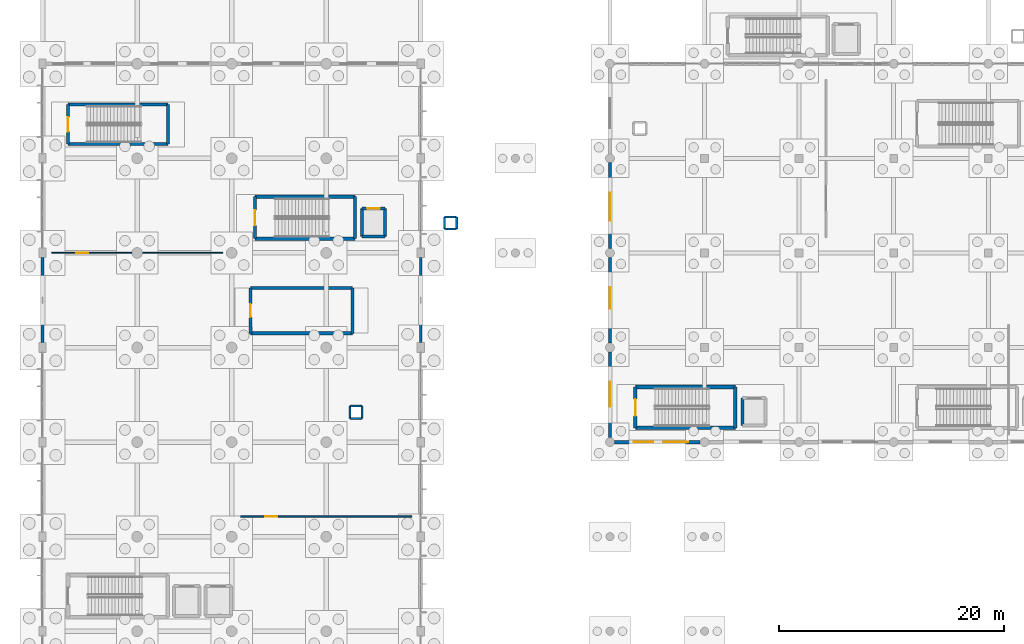
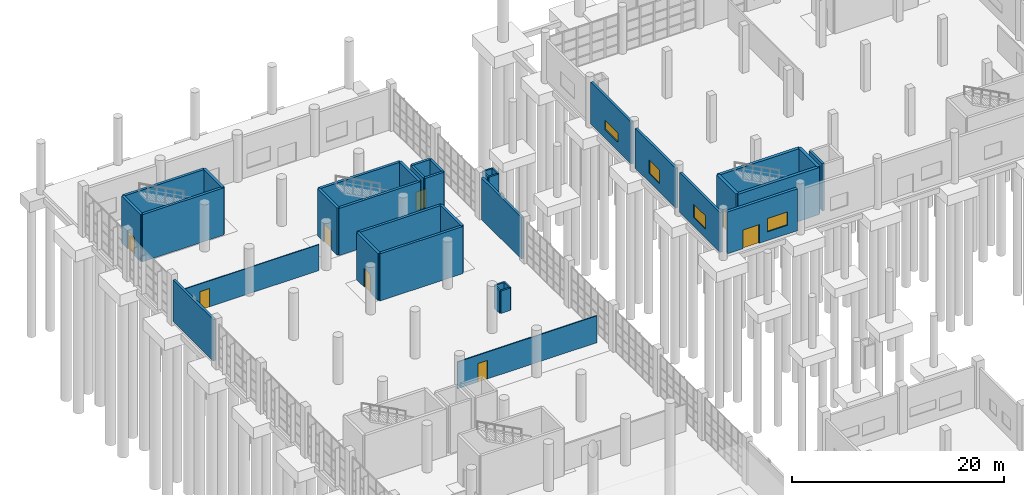
# One storey, part 55 of 83: 37 walls, 8 doors, 4 windows, 12 openings.
"""IFC4 building model written with IfcOpenShell, lengths in metres."""

from ifc_helpers import new_model, si_unit, direction, frame, frame_2d, origin, place, context, subcontext, project, spatial, rectangle, extrude, material, layer, layer_set, type_object, element, fill, save


model = new_model("IFC4")

# Units and contexts
model_context = context("Model", 3, precision=1e-05, world=origin(), true_north=direction((0.0, 1.0)))
body_context = subcontext(model_context, "Body", "Model", "MODEL_VIEW")
ifc_project = project(units=[si_unit("LENGTHUNIT", "METRE"), si_unit("AREAUNIT", "SQUARE_METRE"), si_unit("VOLUMEUNIT", "CUBIC_METRE"), si_unit("PLANEANGLEUNIT", "RADIAN"), si_unit("MASSUNIT", "GRAM", prefix="KILO"), si_unit("THERMODYNAMICTEMPERATUREUNIT", "KELVIN"), si_unit("POWERUNIT", "WATT")], contexts=[model_context])

# Site, building, storey
site_placement = place(None, origin())
site = spatial("IfcSite", under=ifc_project, at=site_placement, CompositionType="ELEMENT")
building_placement = place(site_placement, origin())
building = spatial("IfcBuilding", under=site, at=building_placement, Name="Mavoryth Pier Ferry Terminal", CompositionType="ELEMENT")
storey_placement = place(building_placement, origin())
storey = spatial("IfcBuildingStorey", under=building, at=storey_placement, Name="L00", CompositionType="ELEMENT", Elevation=0.0)

# Walls
ifc_material_1 = material(Name="Concrete C35/45", Category="concrete")
ifc_layer_1 = layer(ifc_material_1, 0.260009765625, Name="Concrete C35/45", Category="concrete")
ifc_layer_set_1 = layer_set([ifc_layer_1], Name="Concrete C35/45 - CoreWall-LiftShaft-RC260")
wall_type_1 = type_object("IfcWallType", Name="CoreWall-LiftShaft-RC260", PredefinedType="SHEAR", material=ifc_layer_set_1)
wall_1_placement = place(storey_placement, frame((28.3701171875, 90.669921875, 0.0), z_axis=(0.0, 0.0, 1.0), x_axis=(1.0, 0.0, 0.0)))
element("IfcWall", 1, at=wall_1_placement, inside=storey, type_object=wall_type_1, Name="Interior Wall IW-L00-0037", PredefinedType="SHEAR", context=body_context, shape_type="SweptSolid", body=[
    extrude(rectangle(XDim=2.059814453125, YDim=0.260009765625, at=frame_2d((1.02978515625, 0.0))), origin(), (0.0, 0.0, 1.0), 5.43994140625),
])
for number, where, z_axis, x_axis, name in (
    (2, (30.429931640625, 90.669921875, 0.0), (0.0, 0.0, 1.0), (0.0, 1.0, 0.0), "Interior Wall IW-L00-0038"),
    (3, (28.3701171875, 93.1298828125, 0.0), (0.0, 0.0, 1.0), (0.0, -1.0, 0.0), "Interior Wall IW-L00-0039"),
):
    element("IfcWall", number, at=place(storey_placement, frame(where, z_axis=z_axis, x_axis=x_axis)), inside=storey, type_object=wall_type_1, Name=name, PredefinedType="SHEAR", context=body_context, shape_type="SweptSolid", body=[
        extrude(rectangle(XDim=2.4599609375, YDim=0.260009765625, at=frame_2d((1.22998046875, 0.0))), origin(), (0.0, 0.0, 1.0), 5.43994140625),
    ])

# Wall, opening, door
wall_2_placement = place(storey_placement, frame((28.3701171875, 93.1298828125, 0.0), z_axis=(0.0, 0.0, 1.0), x_axis=(1.0, 0.0, 0.0)))
wall_2 = element("IfcWall", 4, at=wall_2_placement, inside=storey, type_object=wall_type_1, Name="Interior Wall IW-L00-0040", PredefinedType="SHEAR", context=body_context, shape_type="SweptSolid", body=[
    extrude(rectangle(XDim=2.059814453125, YDim=0.260009765625, at=frame_2d((1.02978515625, 0.0))), origin(), (0.0, 0.0, 1.0), 5.43994140625),
])
opening_1_placement = place(wall_2_placement, frame((0.4599609375, 0.0, 0.0)))
opening_1 = element("IfcOpeningElement", 5, at=opening_1_placement, cuts=wall_2, Name="Opening LD02", PredefinedType="OPENING", context=body_context, shape_type="SweptSolid", body=[
    extrude(rectangle(XDim=1.139892578125, YDim=2.139892578125, at=frame_2d((0.56982421875, 1.06982421875))), frame((0.0, 0.139892578125, 0.0), z_axis=(0.0, -1.0, 0.0), x_axis=(1.0, 0.0, 0.0)), (0.0, 0.0, 1.0), 0.280029296875),
])
ifc_material_2 = material(Name="Brushed Stainless Steel Lift Landing Door", Category="steel")
door_type_1 = type_object("IfcDoorType", Name="Door-LiftLanding-1140x2140", OperationType="NOTDEFINED", PredefinedType="DOOR", material=ifc_material_2)
door_1_placement = place(opening_1_placement, origin())
door_1 = element("IfcDoor", 6, at=door_1_placement, inside=storey, type_object=door_type_1, Name="Lift LF03 Landing Door L00", OperationType="DOUBLE_DOOR_SLIDING", OverallHeight=2.139892578125, OverallWidth=1.139892578125, PredefinedType="DOOR", context=body_context, shape_type="SweptSolid", body=[
    extrude(rectangle(XDim=1.139892578125, YDim=2.139892578125, at=frame_2d((0.56982421875, 1.06982421875))), frame((0.0, 0.02490234375, 0.0), z_axis=(0.0, -1.0, 0.0), x_axis=(1.0, 0.0, 0.0)), (0.0, 0.0, 1.0), 0.050048828125),
])
fill(opening_1, door_1)

# Walls
wall_3_placement = place(storey_placement, frame((62.169921875, 76.330078125, 0.0), z_axis=(0.0, 0.0, 1.0), x_axis=(0.0, -1.0, 0.0)))
element("IfcWall", 7, at=wall_3_placement, inside=storey, type_object=wall_type_1, Name="Interior Wall IW-L00-0071", PredefinedType="SHEAR", context=body_context, shape_type="SweptSolid", body=[
    extrude(rectangle(XDim=2.4599609375, YDim=0.260009765625, at=frame_2d((1.22998046875, 0.0))), origin(), (0.0, 0.0, 1.0), 5.43994140625),
])
ifc_material_3 = material(Name="Concrete C40/50", Category="concrete")
ifc_layer_2 = layer(ifc_material_3, 0.280029296875, Name="Concrete C40/50", Category="concrete")
ifc_layer_set_2 = layer_set([ifc_layer_2], Name="Concrete C40/50 - CoreWall-Shear-RC280")
wall_type_2 = type_object("IfcWallType", Name="CoreWall-Shear-RC280", PredefinedType="SHEAR", material=ifc_layer_set_2)
for number, where, z_axis, x_axis, name in (
    (8, (18.860107421875, 90.4599609375, 0.0), (0.0, 0.0, 1.0), (1.0, 0.0, 0.0), "Interior Wall IW-L00-0025"),
    (9, (18.860107421875, 94.18994140625, 0.0), (0.0, 0.0, 1.0), (1.0, 0.0, 0.0), "Interior Wall IW-L00-0026"),
):
    element("IfcWall", number, at=place(storey_placement, frame(where, z_axis=z_axis, x_axis=x_axis)), inside=storey, type_object=wall_type_2, Name=name, PredefinedType="SHEAR", context=body_context, shape_type="SweptSolid", body=[
        extrude(rectangle(XDim=8.8798828125, YDim=0.280029296875, at=frame_2d((4.43994140625, 0.0))), origin(), (0.0, 0.0, 1.0), 5.43994140625),
    ])

# Wall, opening, door
wall_4_placement = place(storey_placement, frame((18.860107421875, 94.18994140625, 0.0), z_axis=(0.0, 0.0, 1.0), x_axis=(0.0, -1.0, 0.0)))
wall_4 = element("IfcWall", 10, at=wall_4_placement, inside=storey, type_object=wall_type_2, Name="Interior Wall IW-L00-0027", PredefinedType="SHEAR", context=body_context, shape_type="SweptSolid", body=[
    extrude(rectangle(XDim=3.72998046875, YDim=0.280029296875, at=frame_2d((1.864990234375, 0.0))), origin(), (0.0, 0.0, 1.0), 5.43994140625),
])
opening_2_placement = place(wall_4_placement, frame((1.18505859375, 0.0, 0.0)))
opening_2 = element("IfcOpeningElement", 11, at=opening_2_placement, cuts=wall_4, Name="Opening ID02-007", PredefinedType="OPENING", context=body_context, shape_type="SweptSolid", body=[
    extrude(rectangle(XDim=1.360107421875, YDim=2.14990234375, at=frame_2d((0.68017578125, 1.074951171875))), frame((0.0, 0.14990234375, 0.0), z_axis=(0.0, -1.0, 0.0), x_axis=(1.0, 0.0, 0.0)), (0.0, 0.0, 1.0), 0.300048828125),
])
ifc_material_4 = material(Name="Painted Galvanised Steel Fire Door", Category="steel")
door_type_2 = type_object("IfcDoorType", Name="Door-StairFire-1360x2150", OperationType="NOTDEFINED", PredefinedType="DOOR", material=ifc_material_4)
door_2_placement = place(opening_2_placement, origin())
door_2 = element("IfcDoor", 12, at=door_2_placement, inside=storey, type_object=door_type_2, Name="Core C1B Stair Exit Door L00", OperationType="SINGLE_SWING_LEFT", OverallHeight=2.14990234375, OverallWidth=1.360107421875, PredefinedType="DOOR", context=body_context, shape_type="SweptSolid", body=[
    extrude(rectangle(XDim=1.360107421875, YDim=2.14990234375, at=frame_2d((0.68017578125, 1.074951171875))), frame((0.0, 0.02490234375, 0.0), z_axis=(0.0, -1.0, 0.0), x_axis=(1.0, 0.0, 0.0)), (0.0, 0.0, 1.0), 0.050048828125),
])
fill(opening_2, door_2)

# Walls
wall_5_placement = place(storey_placement, frame((27.739990234375, 90.4599609375, 0.0), z_axis=(0.0, 0.0, 1.0), x_axis=(0.0, 1.0, 0.0)))
element("IfcWall", 13, at=wall_5_placement, inside=storey, type_object=wall_type_2, Name="Interior Wall IW-L00-0028", PredefinedType="SHEAR", context=body_context, shape_type="SweptSolid", body=[
    extrude(rectangle(XDim=3.72998046875, YDim=0.280029296875, at=frame_2d((1.864990234375, 0.0))), origin(), (0.0, 0.0, 1.0), 5.43994140625),
])
for number, where, z_axis, x_axis, name in (
    (14, (2.260009765625, 98.860107421875, 0.0), (0.0, 0.0, 1.0), (1.0, 0.0, 0.0), "Interior Wall IW-L00-0049"),
    (15, (2.260009765625, 102.389892578125, 0.0), (0.0, 0.0, 1.0), (1.0, 0.0, 0.0), "Interior Wall IW-L00-0050"),
):
    element("IfcWall", number, at=place(storey_placement, frame(where, z_axis=z_axis, x_axis=x_axis)), inside=storey, type_object=wall_type_2, Name=name, PredefinedType="SHEAR", context=body_context, shape_type="SweptSolid", body=[
        extrude(rectangle(XDim=8.8798828125, YDim=0.280029296875, at=frame_2d((4.43994140625, 0.0))), origin(), (0.0, 0.0, 1.0), 5.43994140625),
    ])

# Wall, opening, door
wall_6_placement = place(storey_placement, frame((2.260009765625, 102.389892578125, 0.0), z_axis=(0.0, 0.0, 1.0), x_axis=(0.0, -1.0, 0.0)))
wall_6 = element("IfcWall", 16, at=wall_6_placement, inside=storey, type_object=wall_type_2, Name="Interior Wall IW-L00-0051", PredefinedType="SHEAR", context=body_context, shape_type="SweptSolid", body=[
    extrude(rectangle(XDim=3.52978515625, YDim=0.280029296875, at=frame_2d((1.764892578125, 0.0))), origin(), (0.0, 0.0, 1.0), 5.43994140625),
])
opening_3_placement = place(wall_6_placement, frame((1.125, 0.0, 0.0)))
opening_3 = element("IfcOpeningElement", 17, at=opening_3_placement, cuts=wall_6, Name="Opening ID03-013", PredefinedType="OPENING", context=body_context, shape_type="SweptSolid", body=[
    extrude(rectangle(XDim=1.280029296875, YDim=2.10009765625, at=frame_2d((0.64013671875, 1.050048828125))), frame((0.0, 0.14990234375, 0.0), z_axis=(0.0, -1.0, 0.0), x_axis=(1.0, 0.0, 0.0)), (0.0, 0.0, 1.0), 0.300048828125),
])
door_type_3 = type_object("IfcDoorType", Name="Door-StairFire-1280x2100", OperationType="NOTDEFINED", PredefinedType="DOOR", material=ifc_material_4)
door_3_placement = place(opening_3_placement, origin())
door_3 = element("IfcDoor", 18, at=door_3_placement, inside=storey, type_object=door_type_3, Name="Core C1C Stair Exit Door L00", OperationType="SINGLE_SWING_RIGHT", OverallHeight=2.10009765625, OverallWidth=1.280029296875, PredefinedType="DOOR", context=body_context, shape_type="SweptSolid", body=[
    extrude(rectangle(XDim=1.280029296875, YDim=2.10009765625, at=frame_2d((0.64013671875, 1.050048828125))), frame((0.0, 0.02490234375, 0.0), z_axis=(0.0, -1.0, 0.0), x_axis=(1.0, 0.0, 0.0)), (0.0, 0.0, 1.0), 0.050048828125),
])
fill(opening_3, door_3)

# Walls
wall_7_placement = place(storey_placement, frame((11.139892578125, 98.860107421875, 0.0), z_axis=(0.0, 0.0, 1.0), x_axis=(0.0, 1.0, 0.0)))
element("IfcWall", 19, at=wall_7_placement, inside=storey, type_object=wall_type_2, Name="Interior Wall IW-L00-0052", PredefinedType="SHEAR", context=body_context, shape_type="SweptSolid", body=[
    extrude(rectangle(XDim=3.52978515625, YDim=0.280029296875, at=frame_2d((1.764892578125, 0.0))), origin(), (0.0, 0.0, 1.0), 5.43994140625),
])
for number, where, z_axis, x_axis, name in (
    (20, (18.4599609375, 82.06005859375, 0.0), (0.0, 0.0, 1.0), (1.0, 0.0, 0.0), "Interior Wall IW-L00-0293"),
    (21, (18.4599609375, 86.090087890625, 0.0), (0.0, 0.0, 1.0), (1.0, 0.0, 0.0), "Interior Wall IW-L00-0294"),
):
    element("IfcWall", number, at=place(storey_placement, frame(where, z_axis=z_axis, x_axis=x_axis)), inside=storey, type_object=wall_type_2, Name=name, PredefinedType="SHEAR", context=body_context, shape_type="SweptSolid", body=[
        extrude(rectangle(XDim=9.080078125, YDim=0.280029296875, at=frame_2d((4.5400390625, 0.0))), origin(), (0.0, 0.0, 1.0), 5.43994140625),
    ])

# Wall, opening, door
wall_8_placement = place(storey_placement, frame((18.4599609375, 86.090087890625, 0.0), z_axis=(0.0, 0.0, 1.0), x_axis=(0.0, -1.0, 0.0)))
wall_8 = element("IfcWall", 22, at=wall_8_placement, inside=storey, type_object=wall_type_2, Name="Interior Wall IW-L00-0295", PredefinedType="SHEAR", context=body_context, shape_type="SweptSolid", body=[
    extrude(rectangle(XDim=4.030029296875, YDim=0.280029296875, at=frame_2d((2.01513671875, 0.0))), origin(), (0.0, 0.0, 1.0), 5.43994140625),
])
opening_4_placement = place(wall_8_placement, frame((1.43505859375, 0.0, 0.0)))
opening_4 = element("IfcOpeningElement", 23, at=opening_4_placement, cuts=wall_8, Name="Opening ID14-074", PredefinedType="OPENING", context=body_context, shape_type="SweptSolid", body=[
    extrude(rectangle(XDim=1.159912109375, YDim=2.139892578125, at=frame_2d((0.580078125, 1.06982421875))), frame((0.0, 0.14990234375, 0.0), z_axis=(0.0, -1.0, 0.0), x_axis=(1.0, 0.0, 0.0)), (0.0, 0.0, 1.0), 0.300048828125),
])
ifc_material_5 = material(Name="Painted Steel Utility Door", Category="steel")
door_type_4 = type_object("IfcDoorType", Name="Door-Store-1160x2140", OperationType="NOTDEFINED", PredefinedType="DOOR", material=ifc_material_5)
door_4_placement = place(opening_4_placement, origin())
door_4 = element("IfcDoor", 24, at=door_4_placement, inside=storey, type_object=door_type_4, Name="Feature Stair FS2 Concourse Door L00", OperationType="SINGLE_SWING_LEFT", OverallHeight=2.139892578125, OverallWidth=1.159912109375, PredefinedType="DOOR", context=body_context, shape_type="SweptSolid", body=[
    extrude(rectangle(XDim=1.159912109375, YDim=2.139892578125, at=frame_2d((0.580078125, 1.06982421875))), frame((0.0, 0.02490234375, 0.0), z_axis=(0.0, -1.0, 0.0), x_axis=(1.0, 0.0, 0.0)), (0.0, 0.0, 1.0), 0.050048828125),
])
fill(opening_4, door_4)

# Walls
wall_9_placement = place(storey_placement, frame((27.5400390625, 82.06005859375, 0.0), z_axis=(0.0, 0.0, 1.0), x_axis=(0.0, 1.0, 0.0)))
element("IfcWall", 25, at=wall_9_placement, inside=storey, type_object=wall_type_2, Name="Interior Wall IW-L00-0296", PredefinedType="SHEAR", context=body_context, shape_type="SweptSolid", body=[
    extrude(rectangle(XDim=4.030029296875, YDim=0.280029296875, at=frame_2d((2.01513671875, 0.0))), origin(), (0.0, 0.0, 1.0), 5.43994140625),
])
ifc_layer_3 = layer(ifc_material_3, 0.320068359375, Name="Concrete C40/50", Category="concrete")
ifc_layer_set_3 = layer_set([ifc_layer_3], Name="Concrete C40/50 - CoreWall-Shear-RC320")
wall_type_3 = type_object("IfcWallType", Name="CoreWall-Shear-RC320", PredefinedType="SHEAR", material=ifc_layer_set_3)
for number, where, z_axis, x_axis, name in (
    (26, (52.659912109375, 73.659912109375, 0.0), (0.0, 0.0, 1.0), (1.0, 0.0, 0.0), "Interior Wall IW-L00-0061"),
    (27, (52.659912109375, 77.2900390625, 0.0), (0.0, 0.0, 1.0), (1.0, 0.0, 0.0), "Interior Wall IW-L00-0062"),
):
    element("IfcWall", number, at=place(storey_placement, frame(where, z_axis=z_axis, x_axis=x_axis)), inside=storey, type_object=wall_type_3, Name=name, PredefinedType="SHEAR", context=body_context, shape_type="SweptSolid", body=[
        extrude(rectangle(XDim=8.880126953125, YDim=0.320068359375, at=frame_2d((4.43994140625, 0.0))), origin(), (0.0, 0.0, 1.0), 5.43994140625),
    ])

# Wall, opening, door
wall_10_placement = place(storey_placement, frame((52.659912109375, 77.2900390625, 0.0), z_axis=(0.0, 0.0, 1.0), x_axis=(0.0, -1.0, 0.0)))
wall_10 = element("IfcWall", 28, at=wall_10_placement, inside=storey, type_object=wall_type_3, Name="Interior Wall IW-L00-0063", PredefinedType="SHEAR", context=body_context, shape_type="SweptSolid", body=[
    extrude(rectangle(XDim=3.630126953125, YDim=0.320068359375, at=frame_2d((1.81494140625, 0.0))), origin(), (0.0, 0.0, 1.0), 5.43994140625),
])
opening_5_placement = place(wall_10_placement, frame((1.074951171875, 0.0, 0.0)))
opening_5 = element("IfcOpeningElement", 29, at=opening_5_placement, cuts=wall_10, Name="Opening ID01-016", PredefinedType="OPENING", context=body_context, shape_type="SweptSolid", body=[
    extrude(rectangle(XDim=1.47998046875, YDim=2.14990234375, at=frame_2d((0.739990234375, 1.074951171875))), frame((0.0, 0.169921875, 0.0), z_axis=(0.0, -1.0, 0.0), x_axis=(1.0, 0.0, 0.0)), (0.0, 0.0, 1.0), 0.340087890625),
])
door_type_5 = type_object("IfcDoorType", Name="Door-StairFire-1480x2150", OperationType="NOTDEFINED", PredefinedType="DOOR", material=ifc_material_4)
door_5_placement = place(opening_5_placement, origin())
door_5 = element("IfcDoor", 30, at=door_5_placement, inside=storey, type_object=door_type_5, Name="Core C2A Stair Exit Door L00", OperationType="SINGLE_SWING_LEFT", OverallHeight=2.14990234375, OverallWidth=1.47998046875, PredefinedType="DOOR", context=body_context, shape_type="SweptSolid", body=[
    extrude(rectangle(XDim=1.47998046875, YDim=2.14990234375, at=frame_2d((0.739990234375, 1.074951171875))), frame((0.0, 0.02490234375, 0.0), z_axis=(0.0, -1.0, 0.0), x_axis=(1.0, 0.0, 0.0)), (0.0, 0.0, 1.0), 0.050048828125),
])
fill(opening_5, door_5)

# Walls
wall_11_placement = place(storey_placement, frame((61.5400390625, 73.659912109375, 0.0), z_axis=(0.0, 0.0, 1.0), x_axis=(0.0, 1.0, 0.0)))
element("IfcWall", 31, at=wall_11_placement, inside=storey, type_object=wall_type_3, Name="Interior Wall IW-L00-0064", PredefinedType="SHEAR", context=body_context, shape_type="SweptSolid", body=[
    extrude(rectangle(XDim=3.630126953125, YDim=0.320068359375, at=frame_2d((1.81494140625, 0.0))), origin(), (0.0, 0.0, 1.0), 5.43994140625),
])
ifc_material_6 = material(Name="Insulated Pentelic Limestone-Faced Masonry", Category="masonry")
ifc_layer_4 = layer(ifc_material_6, 0.25, Name="Insulated Pentelic Limestone-Faced Masonry", Category="masonry")
ifc_layer_set_4 = layer_set([ifc_layer_4], Name="Insulated Pentelic Limestone-Faced Masonry - ExtWall-Facade-Masonry250")
wall_type_4 = type_object("IfcWallType", Name="ExtWall-Facade-Masonry250", PredefinedType="SOLIDWALL", material=ifc_layer_set_4)
for number, where, z_axis, x_axis, name in (
    (32, (0.0, 88.77490234375, 0.0), (0.0, 0.0, 1.0), (0.0, -1.0, 0.0), "Exterior Wall EW-L00-011"),
    (33, (33.60009765625, 81.22509765625, 0.0), (0.0, 0.0, 1.0), (0.0, 1.0, 0.0), "Exterior Wall EW-L00-012"),
):
    element("IfcWall", number, at=place(storey_placement, frame(where, z_axis=z_axis, x_axis=x_axis)), inside=storey, type_object=wall_type_4, Name=name, PredefinedType="SOLIDWALL", context=body_context, shape_type="SweptSolid", body=[
        extrude(rectangle(XDim=7.5498046875, YDim=0.25, at=frame_2d((3.77490234375, 0.0))), origin(), (0.0, 0.0, 1.0), 4.794921875),
    ])

# Wall, opening, window
wall_12_placement = place(storey_placement, frame((50.39990234375, 80.409912109375, 0.0), z_axis=(0.0, 0.0, 1.0), x_axis=(0.0, -1.0, 0.0)))
wall_12 = element("IfcWall", 34, at=wall_12_placement, inside=storey, type_object=wall_type_4, Name="Exterior Wall EW-L00-022", PredefinedType="SOLIDWALL", context=body_context, shape_type="SweptSolid", body=[
    extrude(rectangle(XDim=7.619873046875, YDim=0.25, at=frame_2d((3.81005859375, 0.0))), origin(), (0.0, 0.0, 1.0), 4.60498046875),
])
opening_6_placement = place(wall_12_placement, frame((2.64990234375, 0.0, 1.0)))
opening_6 = element("IfcOpeningElement", 35, at=opening_6_placement, cuts=wall_12, Name="Opening WN11", PredefinedType="OPENING", context=body_context, shape_type="SweptSolid", body=[
    extrude(rectangle(XDim=2.199951171875, YDim=1.550048828125, at=frame_2d((1.10009765625, 0.77490234375))), frame((0.0, 0.135009765625, 0.0), z_axis=(0.0, -1.0, 0.0), x_axis=(1.0, 0.0, 0.0)), (0.0, 0.0, 1.0), 0.27001953125),
])
ifc_material_7 = material(Name="Thermally Broken Aluminium and Low-E Double Glazing", Category="aluminium")
window_type_1 = type_object("IfcWindowType", Name="Win-Arrivals-2200x1550", PartitioningType="DOUBLE_PANEL_VERTICAL", PredefinedType="WINDOW", material=ifc_material_7)
window_1_placement = place(opening_6_placement, origin())
window_1 = element("IfcWindow", 36, at=window_1_placement, inside=storey, type_object=window_type_1, Name="Exterior Window 12", OverallHeight=1.550048828125, OverallWidth=2.199951171875, PartitioningType="DOUBLE_PANEL_VERTICAL", PredefinedType="WINDOW", context=body_context, shape_type="SweptSolid", body=[
    extrude(rectangle(XDim=2.199951171875, YDim=1.550048828125, at=frame_2d((1.10009765625, 0.77490234375))), frame((0.0, 0.030029296875, 0.0), z_axis=(0.0, -1.0, 0.0), x_axis=(1.0, 0.0, 0.0)), (0.0, 0.0, 1.0), 0.06005859375),
])
fill(opening_6, window_1)

wall_13_placement = place(storey_placement, frame((50.39990234375, 88.81005859375, 0.0), z_axis=(0.0, 0.0, 1.0), x_axis=(0.0, -1.0, 0.0)))
wall_13 = element("IfcWall", 37, at=wall_13_placement, inside=storey, type_object=wall_type_4, Name="Exterior Wall EW-L00-024", PredefinedType="SOLIDWALL", context=body_context, shape_type="SweptSolid", body=[
    extrude(rectangle(XDim=7.6201171875, YDim=0.25, at=frame_2d((3.81005859375, 0.0))), origin(), (0.0, 0.0, 1.0), 4.60498046875),
])
opening_7_placement = place(wall_13_placement, frame((2.64990234375, 0.0, 1.0)))
opening_7 = element("IfcOpeningElement", 38, at=opening_7_placement, cuts=wall_13, Name="Opening WN12", PredefinedType="OPENING", context=body_context, shape_type="SweptSolid", body=[
    extrude(rectangle(XDim=1.89990234375, YDim=1.550048828125, at=frame_2d((0.949951171875, 0.77490234375))), frame((0.0, 0.135009765625, 0.0), z_axis=(0.0, -1.0, 0.0), x_axis=(1.0, 0.0, 0.0)), (0.0, 0.0, 1.0), 0.27001953125),
])
window_type_2 = type_object("IfcWindowType", Name="Win-Arrivals-1900x1550", PartitioningType="DOUBLE_PANEL_VERTICAL", PredefinedType="WINDOW", material=ifc_material_7)
window_2_placement = place(opening_7_placement, origin())
window_2 = element("IfcWindow", 39, at=window_2_placement, inside=storey, type_object=window_type_2, Name="Exterior Window 14", OverallHeight=1.550048828125, OverallWidth=1.89990234375, PartitioningType="DOUBLE_PANEL_VERTICAL", PredefinedType="WINDOW", context=body_context, shape_type="SweptSolid", body=[
    extrude(rectangle(XDim=1.89990234375, YDim=1.550048828125, at=frame_2d((0.949951171875, 0.77490234375))), frame((0.0, 0.030029296875, 0.0), z_axis=(0.0, -1.0, 0.0), x_axis=(1.0, 0.0, 0.0)), (0.0, 0.0, 1.0), 0.06005859375),
])
fill(opening_7, window_2)

wall_14_placement = place(storey_placement, frame((50.39990234375, 97.2099609375, 0.0), z_axis=(0.0, 0.0, 1.0), x_axis=(0.0, -1.0, 0.0)))
wall_14 = element("IfcWall", 40, at=wall_14_placement, inside=storey, type_object=wall_type_4, Name="Exterior Wall EW-L00-026", PredefinedType="SOLIDWALL", context=body_context, shape_type="SweptSolid", body=[
    extrude(rectangle(XDim=7.619873046875, YDim=0.25, at=frame_2d((3.81005859375, 0.0))), origin(), (0.0, 0.0, 1.0), 4.824951171875),
])
opening_8_placement = place(wall_14_placement, frame((2.64990234375, 0.0, 1.0)))
opening_8 = element("IfcOpeningElement", 41, at=opening_8_placement, cuts=wall_14, Name="Opening WN16", PredefinedType="OPENING", context=body_context, shape_type="SweptSolid", body=[
    extrude(rectangle(XDim=2.5, YDim=1.050048828125, at=frame_2d((1.25, 0.52490234375))), frame((0.0, 0.135009765625, 0.0), z_axis=(0.0, -1.0, 0.0), x_axis=(1.0, 0.0, 0.0)), (0.0, 0.0, 1.0), 0.27001953125),
])
window_type_3 = type_object("IfcWindowType", Name="Win-Clerestory-2500x1050", PartitioningType="TRIPLE_PANEL_VERTICAL", PredefinedType="WINDOW", material=ifc_material_7)
window_3_placement = place(opening_8_placement, origin())
window_3 = element("IfcWindow", 42, at=window_3_placement, inside=storey, type_object=window_type_3, Name="Exterior Window 16", OverallHeight=1.050048828125, OverallWidth=2.5, PartitioningType="TRIPLE_PANEL_VERTICAL", PredefinedType="WINDOW", context=body_context, shape_type="SweptSolid", body=[
    extrude(rectangle(XDim=2.5, YDim=1.050048828125, at=frame_2d((1.25, 0.52490234375))), frame((0.0, 0.030029296875, 0.0), z_axis=(0.0, -1.0, 0.0), x_axis=(1.0, 0.0, 0.0)), (0.0, 0.0, 1.0), 0.06005859375),
])
fill(opening_8, window_3)

# Wall, openings, door, window
ifc_layer_5 = layer(ifc_material_1, 0.31005859375, Name="Concrete C35/45", Category="concrete")
ifc_layer_set_5 = layer_set([ifc_layer_5], Name="Concrete C35/45 - ExtWall-Insul-RC310")
wall_type_5 = type_object("IfcWallType", Name="ExtWall-Insul-RC310", PredefinedType="SOLIDWALL", material=ifc_layer_set_5)
wall_15_placement = place(storey_placement, frame((50.7900390625, 72.39990234375, 0.0), z_axis=(0.0, 0.0, 1.0), x_axis=(1.0, 0.0, 0.0)))
wall_15 = element("IfcWall", 43, at=wall_15_placement, inside=storey, type_object=wall_type_5, Name="Exterior Wall EW-L00-017", PredefinedType="SOLIDWALL", context=body_context, shape_type="SweptSolid", body=[
    extrude(rectangle(XDim=7.619873046875, YDim=0.31005859375, at=frame_2d((3.81005859375, 0.0))), origin(), (0.0, 0.0, 1.0), 4.824951171875),
])
opening_9_placement = place(wall_15_placement, frame((1.699951171875, 0.0, 0.0)))
opening_9 = element("IfcOpeningElement", 44, at=opening_9_placement, cuts=wall_15, Name="Opening ED05-011", PredefinedType="OPENING", context=body_context, shape_type="SweptSolid", body=[
    extrude(rectangle(XDim=1.75, YDim=2.14990234375, at=frame_2d((0.875, 1.074951171875))), frame((0.0, 0.1650390625, 0.0), z_axis=(0.0, -1.0, 0.0), x_axis=(1.0, 0.0, 0.0)), (0.0, 0.0, 1.0), 0.330078125),
])
opening_10_placement = place(wall_15_placement, frame((4.35009765625, 0.0, 1.0)))
opening_10 = element("IfcOpeningElement", 45, at=opening_10_placement, cuts=wall_15, Name="Opening WN11", PredefinedType="OPENING", context=body_context, shape_type="SweptSolid", body=[
    extrude(rectangle(XDim=2.199951171875, YDim=1.550048828125, at=frame_2d((1.10009765625, 0.77490234375))), frame((0.0, 0.1650390625, 0.0), z_axis=(0.0, -1.0, 0.0), x_axis=(1.0, 0.0, 0.0)), (0.0, 0.0, 1.0), 0.330078125),
])
ifc_material_8 = material(Name="Thermally Broken Anodised Aluminium and Laminated Glass", Category="aluminium")
door_type_6 = type_object("IfcDoorType", Name="ExtDoor-ExitDouble-1750x2150", OperationType="NOTDEFINED", PredefinedType="DOOR", material=ifc_material_8)
door_6_placement = place(opening_9_placement, origin())
door_6 = element("IfcDoor", 46, at=door_6_placement, inside=storey, type_object=door_type_6, Name="Exterior Pedestrian Exit Door ED05-011", OperationType="DOUBLE_DOOR_SINGLE_SWING", OverallHeight=2.14990234375, OverallWidth=1.75, PredefinedType="DOOR", context=body_context, shape_type="SweptSolid", body=[
    extrude(rectangle(XDim=1.75, YDim=2.14990234375, at=frame_2d((0.875, 1.074951171875))), frame((0.0, 0.02490234375, 0.0), z_axis=(0.0, -1.0, 0.0), x_axis=(1.0, 0.0, 0.0)), (0.0, 0.0, 1.0), 0.050048828125),
])
fill(opening_9, door_6)
window_4_placement = place(opening_10_placement, origin())
window_4 = element("IfcWindow", 47, at=window_4_placement, inside=storey, type_object=window_type_1, Name="Exterior Window 7", OverallHeight=1.550048828125, OverallWidth=2.199951171875, PartitioningType="DOUBLE_PANEL_VERTICAL", PredefinedType="WINDOW", context=body_context, shape_type="SweptSolid", body=[
    extrude(rectangle(XDim=2.199951171875, YDim=1.550048828125, at=frame_2d((1.10009765625, 0.77490234375))), frame((0.0, 0.030029296875, 0.0), z_axis=(0.0, -1.0, 0.0), x_axis=(1.0, 0.0, 0.0)), (0.0, 0.0, 1.0), 0.06005859375),
])
fill(opening_10, window_4)

# Walls
ifc_material_9 = material(Name="Autoclaved Aerated Concrete Blockwork", Category="masonry")
ifc_layer_6 = layer(ifc_material_9, 0.179931640625, Name="Autoclaved Aerated Concrete Blockwork", Category="masonry")
ifc_layer_set_6 = layer_set([ifc_layer_6], Name="Autoclaved Aerated Concrete Blockwork - IntWall-PlantRated-180")
wall_type_6 = type_object("IfcWallType", Name="IntWall-PlantRated-180", PredefinedType="SOLIDWALL", material=ifc_layer_set_6)
wall_16_placement = place(storey_placement, frame((27.31005859375, 74.510009765625, 0.0), z_axis=(0.0, 0.0, 1.0), x_axis=(1.0, 0.0, 0.0)))
element("IfcWall", 48, at=wall_16_placement, inside=storey, type_object=wall_type_6, Name="Interior Wall IW-L00-0321", PredefinedType="SOLIDWALL", context=body_context, shape_type="SweptSolid", body=[
    extrude(rectangle(XDim=1.079833984375, YDim=0.179931640625, at=frame_2d((0.5400390625, 0.0))), origin(), (0.0, 0.0, 1.0), 2.60009765625),
])
wall_17_placement = place(storey_placement, frame((28.389892578125, 74.510009765625, 0.0), z_axis=(0.0, 0.0, 1.0), x_axis=(0.0, 1.0, 0.0)))
element("IfcWall", 49, at=wall_17_placement, inside=storey, type_object=wall_type_6, Name="Interior Wall IW-L00-0322", PredefinedType="SOLIDWALL", context=body_context, shape_type="SweptSolid", body=[
    extrude(rectangle(XDim=1.080078125, YDim=0.179931640625, at=frame_2d((0.5400390625, 0.0))), origin(), (0.0, 0.0, 1.0), 2.60009765625),
])
wall_18_placement = place(storey_placement, frame((28.389892578125, 75.590087890625, 0.0), z_axis=(0.0, 0.0, 1.0), x_axis=(-1.0, 0.0, 0.0)))
element("IfcWall", 50, at=wall_18_placement, inside=storey, type_object=wall_type_6, Name="Interior Wall IW-L00-0323", PredefinedType="SOLIDWALL", context=body_context, shape_type="SweptSolid", body=[
    extrude(rectangle(XDim=1.079833984375, YDim=0.179931640625, at=frame_2d((0.5400390625, 0.0))), origin(), (0.0, 0.0, 1.0), 2.60009765625),
])
for number, where, z_axis, x_axis, name in (
    (51, (27.31005859375, 75.590087890625, 0.0), (0.0, 0.0, 1.0), (0.0, -1.0, 0.0), "Interior Wall IW-L00-0324"),
    (52, (35.7099609375, 91.31005859375, 0.0), (0.0, 0.0, 1.0), (1.0, 0.0, 0.0), "Interior Wall IW-L00-0345"),
):
    element("IfcWall", number, at=place(storey_placement, frame(where, z_axis=z_axis, x_axis=x_axis)), inside=storey, type_object=wall_type_6, Name=name, PredefinedType="SOLIDWALL", context=body_context, shape_type="SweptSolid", body=[
        extrude(rectangle(XDim=1.080078125, YDim=0.179931640625, at=frame_2d((0.5400390625, 0.0))), origin(), (0.0, 0.0, 1.0), 2.60009765625),
    ])
wall_19_placement = place(storey_placement, frame((36.7900390625, 91.31005859375, 0.0), z_axis=(0.0, 0.0, 1.0), x_axis=(0.0, 1.0, 0.0)))
element("IfcWall", 53, at=wall_19_placement, inside=storey, type_object=wall_type_6, Name="Interior Wall IW-L00-0346", PredefinedType="SOLIDWALL", context=body_context, shape_type="SweptSolid", body=[
    extrude(rectangle(XDim=1.079833984375, YDim=0.179931640625, at=frame_2d((0.5400390625, 0.0))), origin(), (0.0, 0.0, 1.0), 2.60009765625),
])
wall_20_placement = place(storey_placement, frame((36.7900390625, 92.389892578125, 0.0), z_axis=(0.0, 0.0, 1.0), x_axis=(-1.0, 0.0, 0.0)))
element("IfcWall", 54, at=wall_20_placement, inside=storey, type_object=wall_type_6, Name="Interior Wall IW-L00-0347", PredefinedType="SOLIDWALL", context=body_context, shape_type="SweptSolid", body=[
    extrude(rectangle(XDim=1.080078125, YDim=0.179931640625, at=frame_2d((0.5400390625, 0.0))), origin(), (0.0, 0.0, 1.0), 2.60009765625),
])
wall_21_placement = place(storey_placement, frame((35.7099609375, 92.389892578125, 0.0), z_axis=(0.0, 0.0, 1.0), x_axis=(0.0, -1.0, 0.0)))
element("IfcWall", 55, at=wall_21_placement, inside=storey, type_object=wall_type_6, Name="Interior Wall IW-L00-0348", PredefinedType="SOLIDWALL", context=body_context, shape_type="SweptSolid", body=[
    extrude(rectangle(XDim=1.079833984375, YDim=0.179931640625, at=frame_2d((0.5400390625, 0.0))), origin(), (0.0, 0.0, 1.0), 2.60009765625),
])

# Wall, opening, door
ifc_material_10 = material(Name="Metal-Stud Gypsum Partition")
ifc_layer_7 = layer(ifc_material_10, 0.1201171875, Name="Metal-Stud Gypsum Partition")
ifc_layer_set_7 = layer_set([ifc_layer_7], Name="Metal-Stud Gypsum Partition - Part-Standard-120")
wall_type_7 = type_object("IfcWallType", Name="Part-Standard-120", PredefinedType="PARTITIONING", material=ifc_layer_set_7)
wall_22_placement = place(storey_placement, frame((17.60009765625, 65.800048828125, 0.0), z_axis=(0.0, 0.0, 1.0), x_axis=(1.0, 0.0, 0.0)))
wall_22 = element("IfcWall", 56, at=wall_22_placement, inside=storey, type_object=wall_type_7, Name="Interior Wall IW-L00-0414", PredefinedType="PARTITIONING", context=body_context, shape_type="SweptSolid", body=[
    extrude(rectangle(XDim=15.199951171875, YDim=0.1201171875, at=frame_2d((7.60009765625, 0.0))), origin(), (0.0, 0.0, 1.0), 3.10009765625),
])
opening_11_placement = place(wall_22_placement, frame((2.199951171875, 0.0, 0.0)))
opening_11 = element("IfcOpeningElement", 57, at=opening_11_placement, cuts=wall_22, Name="Opening ID08-081", PredefinedType="OPENING", context=body_context, shape_type="SweptSolid", body=[
    extrude(rectangle(XDim=1.0400390625, YDim=2.139892578125, at=frame_2d((0.52001953125, 1.06982421875))), frame((0.0, 0.070068359375, 0.0), z_axis=(0.0, -1.0, 0.0), x_axis=(1.0, 0.0, 0.0)), (0.0, 0.0, 1.0), 0.14013671875),
])
ifc_material_11 = material(Name="Solid-Core Oak Veneer Timber Door", Category="wood")
door_type_7 = type_object("IfcDoorType", Name="Door-RoomSingle-1040x2140", OperationType="NOTDEFINED", PredefinedType="DOOR", material=ifc_material_11)
door_7_placement = place(opening_11_placement, origin())
door_7 = element("IfcDoor", 58, at=door_7_placement, inside=storey, type_object=door_type_7, Name="Interior Door ID08-081", OperationType="SINGLE_SWING_RIGHT", OverallHeight=2.139892578125, OverallWidth=1.0400390625, PredefinedType="DOOR", context=body_context, shape_type="SweptSolid", body=[
    extrude(rectangle(XDim=1.0400390625, YDim=2.139892578125, at=frame_2d((0.52001953125, 1.06982421875))), frame((0.0, 0.02490234375, 0.0), z_axis=(0.0, -1.0, 0.0), x_axis=(1.0, 0.0, 0.0)), (0.0, 0.0, 1.0), 0.050048828125),
])
fill(opening_11, door_7)

ifc_material_12 = material(Name="Moisture-Resistant Cement-Board Partition")
ifc_layer_8 = layer(ifc_material_12, 0.10009765625, Name="Moisture-Resistant Cement-Board Partition")
ifc_layer_set_8 = layer_set([ifc_layer_8], Name="Moisture-Resistant Cement-Board Partition - Part-WetArea-100")
wall_type_8 = type_object("IfcWallType", Name="Part-WetArea-100", PredefinedType="PARTITIONING", material=ifc_layer_set_8)
wall_23_placement = place(storey_placement, frame((0.800048828125, 89.199951171875, 0.0), z_axis=(0.0, 0.0, 1.0), x_axis=(1.0, 0.0, 0.0)))
wall_23 = element("IfcWall", 59, at=wall_23_placement, inside=storey, type_object=wall_type_8, Name="Interior Wall IW-L00-0418", PredefinedType="PARTITIONING", context=body_context, shape_type="SweptSolid", body=[
    extrude(rectangle(XDim=15.199951171875, YDim=0.10009765625, at=frame_2d((7.60009765625, 0.0))), origin(), (0.0, 0.0, 1.0), 3.0),
])
opening_12_placement = place(wall_23_placement, frame((2.199951171875, 0.0, 0.0)))
opening_12 = element("IfcOpeningElement", 60, at=opening_12_placement, cuts=wall_23, Name="Opening ID11-084", PredefinedType="OPENING", context=body_context, shape_type="SweptSolid", body=[
    extrude(rectangle(XDim=1.06005859375, YDim=2.10009765625, at=frame_2d((0.530029296875, 1.050048828125))), frame((0.0, 0.06005859375, 0.0), z_axis=(0.0, -1.0, 0.0), x_axis=(1.0, 0.0, 0.0)), (0.0, 0.0, 1.0), 0.1201171875),
])
ifc_material_13 = material(Name="High-Pressure Laminate Accessible Door")
door_type_8 = type_object("IfcDoorType", Name="Door-AccessibleWC-1060x2100", OperationType="NOTDEFINED", PredefinedType="DOOR", material=ifc_material_13)
door_8_placement = place(opening_12_placement, origin())
door_8 = element("IfcDoor", 61, at=door_8_placement, inside=storey, type_object=door_type_8, Name="Departure Ground Accessible WC Door", OperationType="SINGLE_SWING_LEFT", OverallHeight=2.10009765625, OverallWidth=1.06005859375, PredefinedType="DOOR", context=body_context, shape_type="SweptSolid", body=[
    extrude(rectangle(XDim=1.06005859375, YDim=2.10009765625, at=frame_2d((0.530029296875, 1.050048828125))), frame((0.0, 0.02490234375, 0.0), z_axis=(0.0, -1.0, 0.0), x_axis=(1.0, 0.0, 0.0)), (0.0, 0.0, 1.0), 0.050048828125),
])
fill(opening_12, door_8)

save(model, "model.ifc")
